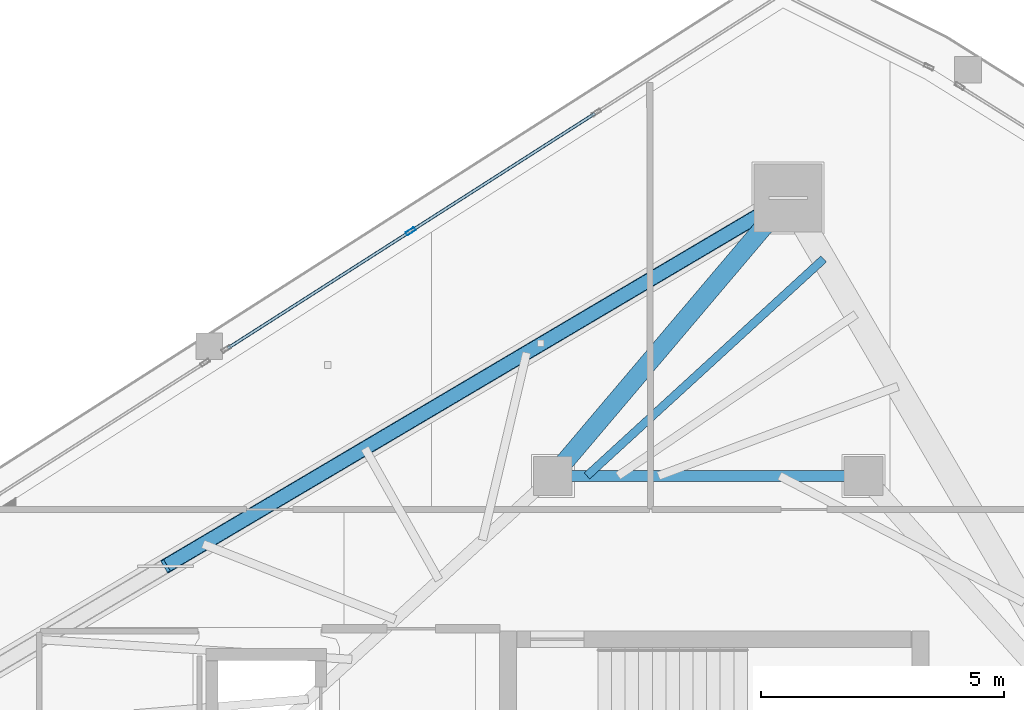
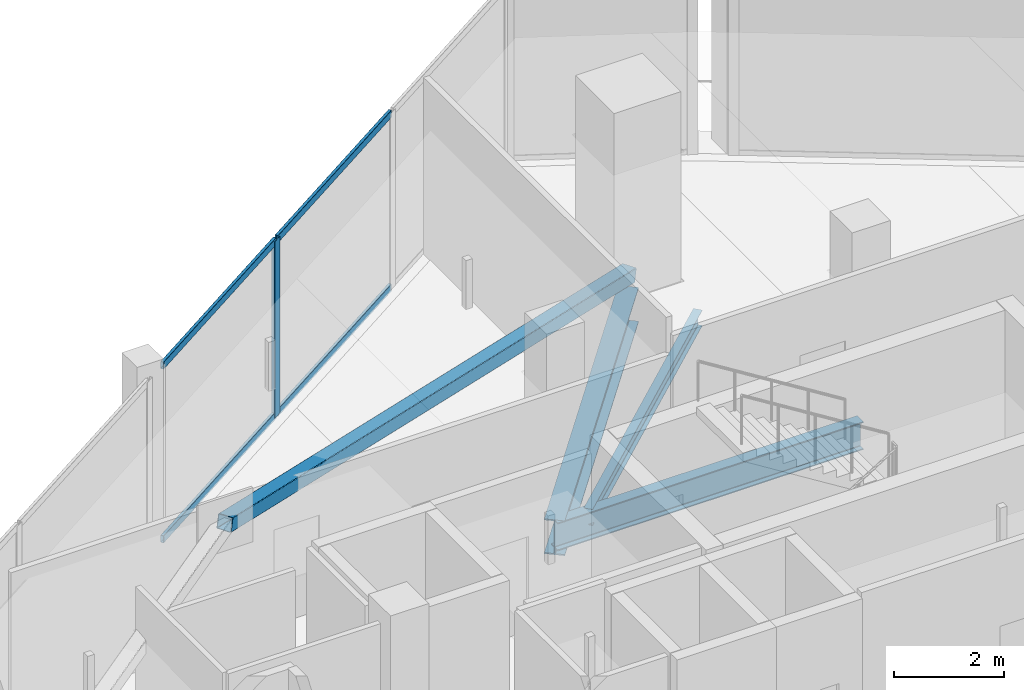
# One storey, part 13 of 25: 6 members, 3 beams, 1 element without a shape of its own.
"""IFC4 building model written with IfcOpenShell, lengths in metres."""

import ifcopenshell
import ifcopenshell.guid

model = None  # the IFC model being written
_history = None  # IfcOwnerHistory: only IFC2X3 demands one
_inside = {}  # id of a spatial element -> (the spatial element, [elements in it])
_under = {}  # id of a project, library or spatial element -> (it, [spatial elements below it])
_declared = {}  # id of a project -> (the project, [libraries it declares])
_typed = {}  # id of a type object -> (the type object, [elements of that type])
_made_of = {}  # id of a material, layer set ... -> (it, [elements and type objects made of it])


def new_model(schema):
    """Start an empty IFC model of exactly this schema.

    Asked for "IFC4X3", IfcOpenShell would pick the latest addendum, in which some entities
    have other attributes; the version numbers below select the first issue.
    IFC2X3 requires an IfcOwnerHistory on every rooted entity: one is made here for all.
    """
    global model, _history
    if schema == "IFC4X3":
        model = ifcopenshell.file(schema_version=(4, 3, 0, 0))
    else:
        model = ifcopenshell.file(schema=schema)
    _inside.clear()
    _under.clear()
    _declared.clear()
    _typed.clear()
    _made_of.clear()
    _history = None
    if model.schema == "IFC2X3":
        org = make("IfcOrganization", Name="unknown")
        user = make(
            "IfcPersonAndOrganization",
            ThePerson=make("IfcPerson", FamilyName="unknown"),
            TheOrganization=org,
        )
        app = make(
            "IfcApplication",
            ApplicationDeveloper=org,
            Version="unknown",
            ApplicationFullName="unknown",
            ApplicationIdentifier="unknown",
        )
        _history = make(
            "IfcOwnerHistory",
            OwningUser=user,
            OwningApplication=app,
            ChangeAction="ADDED",
            CreationDate=0,
        )
    return model


def make(cls, **values):
    """One entity of the class cls with the attributes given. An attribute that is None is left unset."""
    return model.create_entity(
        cls, **{name: value for name, value in values.items() if value is not None}
    )


def rooted(cls, **values):
    """An entity with a GlobalId (a new one), such as an element, a storey or a relation."""
    return make(cls, GlobalId=ifcopenshell.guid.new(), OwnerHistory=_history, **values)


def si_unit(unit_type, name, prefix=None):
    """IfcSIUnit, for example si_unit("LENGTHUNIT", "METRE", prefix="MILLI")."""
    return make("IfcSIUnit", UnitType=unit_type, Prefix=prefix, Name=name)


def assignment(units):
    """IfcUnitAssignment: the units of a project."""
    return None if units is None else make("IfcUnitAssignment", Units=units)


def point(xyz):
    """IfcCartesianPoint."""
    return None if xyz is None else make("IfcCartesianPoint", Coordinates=xyz)


def direction(xyz):
    """IfcDirection."""
    return None if xyz is None else make("IfcDirection", DirectionRatios=xyz)


def frame(location, z_axis=None, x_axis=None):
    """IfcAxis2Placement3D, a coordinate frame: its origin and axes. An axis left out is left unset."""
    return make(
        "IfcAxis2Placement3D",
        Location=point(location),
        Axis=direction(z_axis),
        RefDirection=direction(x_axis),
    )


def frame_2d(location, x_axis=None):
    """IfcAxis2Placement2D, a coordinate frame in the plane: its origin and x axis."""
    return make(
        "IfcAxis2Placement2D", Location=point(location), RefDirection=direction(x_axis)
    )


def origin():
    """The frame at (0, 0, 0) with its axes left unset."""
    return frame((0.0, 0.0, 0.0))


def origin_2d():
    """The frame at (0, 0) in the plane with its x axis left unset."""
    return frame_2d((0.0, 0.0))


def place(relative_to, where):
    """IfcLocalPlacement: puts the frame where relative to a parent placement (None: the world)."""
    return make(
        "IfcLocalPlacement", PlacementRelTo=relative_to, RelativePlacement=where
    )


def context(
    kind, dimensions, precision=None, world=None, true_north=None, identifier=None
):
    """IfcGeometricRepresentationContext, for example the 3D "Model" context."""
    return make(
        "IfcGeometricRepresentationContext",
        ContextIdentifier=identifier,
        ContextType=kind,
        CoordinateSpaceDimension=dimensions,
        Precision=precision,
        WorldCoordinateSystem=world,
        TrueNorth=true_north,
    )


def subcontext(parent, identifier, kind, view, scale=None):
    """IfcGeometricRepresentationSubContext, for example "Body" below "Model"."""
    return make(
        "IfcGeometricRepresentationSubContext",
        ContextIdentifier=identifier,
        ContextType=kind,
        ParentContext=parent,
        TargetScale=scale,
        TargetView=view,
    )


def project(units=None, contexts=None):
    """IfcProject with its units and contexts."""
    return rooted(
        "IfcProject",
        Name="project",
        RepresentationContexts=contexts,
        UnitsInContext=assignment(units),
    )


def spatial(cls, under=None, at=None, **own):
    """A site, building, storey or space (cls), placed at a placement, below another one or the project."""
    s = rooted(cls, ObjectPlacement=at, **own)
    if under is not None:
        _under.setdefault(under.id(), (under, []))[1].append(s)
    return s


def profile(cls, at=None, kind="AREA", **sizes):
    """A parametric profile (cls). Its sizes go by their IFC names, for example OverallWidth=200.0."""
    return make(cls, ProfileType=kind, Position=at, **sizes)


def hollow_rectangle(**sizes):
    """IfcRectangleHollowProfileDef."""
    return profile("IfcRectangleHollowProfileDef", **sizes)


def i_section(**sizes):
    """IfcIShapeProfileDef."""
    return profile("IfcIShapeProfileDef", **sizes)


def extrude(swept, where, along, depth):
    """IfcExtrudedAreaSolid: the profile swept, set in the frame where, extruded along a direction by depth."""
    return make(
        "IfcExtrudedAreaSolid",
        SweptArea=swept,
        Position=where,
        ExtrudedDirection=direction(along),
        Depth=depth,
    )


def shape(context_of_items, identifier, shape_type, items):
    """IfcShapeRepresentation: the items that make up one representation, for example the "Body"."""
    return make(
        "IfcShapeRepresentation",
        ContextOfItems=context_of_items,
        RepresentationIdentifier=identifier,
        RepresentationType=shape_type,
        Items=items,
    )


def material(Name=None, Category=None):
    """IfcMaterial."""
    return make("IfcMaterial", Name=Name, Category=Category)


def layer(
    of_material, thickness, ventilated=None, Name=None, Category=None, Priority=None
):
    """IfcMaterialLayer: one layer of a wall or slab, of a material (None: an air gap)."""
    return make(
        "IfcMaterialLayer",
        Material=of_material,
        LayerThickness=thickness,
        IsVentilated=ventilated,
        Name=Name,
        Category=Category,
        Priority=Priority,
    )


def layer_set(layers, Name=None):
    """IfcMaterialLayerSet."""
    return make("IfcMaterialLayerSet", MaterialLayers=layers, LayerSetName=Name)


def material_profile(
    of_material, cross_section, Name=None, Category=None, Priority=None
):
    """IfcMaterialProfile: a cross section and its material."""
    return make(
        "IfcMaterialProfile",
        Name=Name,
        Material=of_material,
        Profile=cross_section,
        Priority=Priority,
        Category=Category,
    )


def profile_set(profiles, Name=None, composite=None):
    """IfcMaterialProfileSet."""
    return make(
        "IfcMaterialProfileSet",
        Name=Name,
        MaterialProfiles=profiles,
        CompositeProfile=composite,
    )


def made_of(thing, what):
    """Note that an element or type object is made of a material, layer set ...; save() writes the relation."""
    if what is not None:
        _made_of.setdefault(what.id(), (what, []))[1].append(thing)
    return thing


def type_object(cls, material=None, **own):
    """A type object (cls), such as IfcWallType, which elements share."""
    return made_of(rooted(cls, **own), material)


def element(
    cls,
    number,
    at=None,
    inside=None,
    cuts=None,
    type_object=None,
    material=None,
    context=None,
    identifier="Body",
    shape_type=None,
    held_by="IfcProductDefinitionShape",
    body=None,
    shapes=None,
    **own,
):
    """One element of the class cls, such as IfcWall. Its Tag is "e" and its number.

    at: its placement. inside: the storey or other place that contains it. cuts: it is an
    opening in that element (IfcRelVoidsElement). A single representation is given by context,
    identifier, shape_type and body (its items); several are given by shapes. held_by: the class
    of the entity that holds the representations. save() writes the other relations.
    """
    e = rooted(cls, Tag="e%d" % number, ObjectPlacement=at, **own)
    if body is not None:
        shapes = [shape(context, identifier, shape_type, body)]
    if shapes is not None:
        e.Representation = make(held_by, Representations=shapes)
    if inside is not None:
        _inside.setdefault(inside.id(), (inside, []))[1].append(e)
    if cuts is not None:
        rooted(
            "IfcRelVoidsElement", RelatingBuildingElement=cuts, RelatedOpeningElement=e
        )
    if type_object is not None:
        _typed.setdefault(type_object.id(), (type_object, []))[1].append(e)
    return made_of(e, material)


def aggregate(whole, parts):
    """IfcRelAggregates: a whole, such as a stair, and the parts it consists of."""
    return rooted("IfcRelAggregates", RelatingObject=whole, RelatedObjects=parts)


def save(model, path):
    """Write the relations noted so far, then the file.

    IfcRelAggregates (storeys below a building ...), IfcRelContainedInSpatialStructure (elements
    in a storey), IfcRelDefinesByType, IfcRelAssociatesMaterial and IfcRelDeclares: one each for
    every whole, place, type object, material and project.
    """
    for whole, parts in _under.values():
        aggregate(whole, parts)
    for where, things in _inside.values():
        rooted(
            "IfcRelContainedInSpatialStructure",
            RelatedElements=things,
            RelatingStructure=where,
        )
    for kind, things in _typed.values():
        rooted("IfcRelDefinesByType", RelatedObjects=things, RelatingType=kind)
    for what, things in _made_of.values():
        rooted("IfcRelAssociatesMaterial", RelatedObjects=things, RelatingMaterial=what)
    for by, libraries in _declared.values():
        rooted("IfcRelDeclares", RelatingContext=by, RelatedDefinitions=libraries)
    model.write(path)


model = new_model("IFC4")

# Units and contexts
model_context = context("Model", 3, precision=1e-05, world=origin(), true_north=direction((0.0, 1.0)))
body_context = subcontext(model_context, "Body", "Model", "MODEL_VIEW")
ifc_project = project(units=[si_unit("LENGTHUNIT", "METRE"), si_unit("AREAUNIT", "SQUARE_METRE"), si_unit("VOLUMEUNIT", "CUBIC_METRE"), si_unit("PLANEANGLEUNIT", "RADIAN"), si_unit("MASSUNIT", "GRAM", prefix="KILO")], contexts=[model_context])

# Site, building, storey
site_placement = place(None, origin())
site = spatial("IfcSite", under=ifc_project, at=site_placement, CompositionType="ELEMENT")
building_placement = place(site_placement, origin())
building = spatial("IfcBuilding", under=site, at=building_placement, Name="Qorvath Tower", CompositionType="ELEMENT")
storey_placement = place(building_placement, frame((0.0, 0.0, 314.39990234375)))
storey = spatial("IfcBuildingStorey", under=building, at=storey_placement, Name="L73", CompositionType="ELEMENT", Elevation=314.39990234375)

# Beams
ifc_material_1 = material(Name="Steel ASTM A992 Grade 50", Category="steel")
ifc_material_profile_1 = material_profile(ifc_material_1, i_section(OverallWidth=0.381103515625, OverallDepth=0.77294921875, WebThickness=0.0166015625, FlangeThickness=0.027099609375, FilletRadius=0.01904296875, at=origin_2d()), Name="W30x173")
ifc_profile_set_1 = profile_set([ifc_material_profile_1], Name="Steel ASTM A992 Grade 50")
beam_type_1 = type_object("IfcBeamType", Name="BM-FG3", PredefinedType="BEAM", material=ifc_profile_set_1)
beam_1_placement = place(storey_placement, frame((-23.60009765625, 11.449951171875, -0.67626953125), z_axis=(0.646321389876, 0.763065305848, 0.0), x_axis=(-0.763065305848, 0.646321389876, 0.0)))
element("IfcBeam", 1, at=beam_1_placement, inside=storey, type_object=beam_type_1, Name="Radial Floor Girder CC1-MC6 L73", PredefinedType="BEAM", context=body_context, shape_type="SweptSolid", body=[
    extrude(i_section(OverallWidth=0.381103515625, OverallDepth=0.77294921875, WebThickness=0.0166015625, FlangeThickness=0.027099609375, FilletRadius=0.01904296875, at=origin_2d()), origin(), (0.0, 0.0, 1.0), 7.50341796875),
])
ifc_material_2 = material(Name="Steel ASTM A992 Grade 50", Category="steel")
ifc_material_profile_2 = material_profile(ifc_material_2, i_section(OverallWidth=0.22998046875, OverallDepth=0.616943359375, WebThickness=0.01318359375, FlangeThickness=0.022216796875, FilletRadius=0.014892578125, at=origin_2d()), Name="W24x94")
ifc_profile_set_2 = profile_set([ifc_material_profile_2], Name="Steel ASTM A992 Grade 50")
beam_type_2 = type_object("IfcBeamType", Name="BM-FG6", PredefinedType="BEAM", material=ifc_profile_set_2)
beam_2_placement = place(storey_placement, frame((-23.60009765625, 11.449951171875, -0.598388671875), z_axis=(1.0, 0.0, 0.0), x_axis=(0.0, 1.0, 0.0)))
element("IfcBeam", 2, at=beam_2_placement, inside=storey, type_object=beam_type_2, Name="Core Ring Girder CC1-CC2 L73", PredefinedType="BEAM", context=body_context, shape_type="SweptSolid", body=[
    extrude(i_section(OverallWidth=0.22998046875, OverallDepth=0.616943359375, WebThickness=0.01318359375, FlangeThickness=0.022216796875, FilletRadius=0.014892578125, at=origin_2d()), origin(), (0.0, 0.0, 1.0), 6.400146484375),
])
ifc_material_3 = material(Name="Steel ASTM A992 Grade 50", Category="steel")
ifc_material_profile_3 = material_profile(ifc_material_3, i_section(OverallWidth=0.1708984375, OverallDepth=0.35107421875, WebThickness=0.0068359375, FlangeThickness=0.009765625, FilletRadius=0.010009765625, at=origin_2d()), Name="W14x30")
ifc_profile_set_3 = profile_set([ifc_material_profile_3], Name="Steel ASTM A992 Grade 50")
beam_type_3 = type_object("IfcBeamType", Name="BM-FJ4", PredefinedType="JOIST", material=ifc_profile_set_3)
beam_3_placement = place(storey_placement, frame((-22.89599609375, 11.449951171875, -0.46533203125), z_axis=(0.737232260457, 0.675639396528, 0.0), x_axis=(-0.675639396528, 0.737232260457, 0.0)))
element("IfcBeam", 3, at=beam_3_placement, inside=storey, type_object=beam_type_3, Name="Composite Floor Joist NE7 L73", PredefinedType="JOIST", context=body_context, shape_type="SweptSolid", body=[
    extrude(i_section(OverallWidth=0.1708984375, OverallDepth=0.35107421875, WebThickness=0.0068359375, FlangeThickness=0.009765625, FilletRadius=0.010009765625, at=origin_2d()), origin(), (0.0, 0.0, 1.0), 6.615478515625),
])

# Curtain wall, members
ifc_material_4 = material(Name="Anodised aluminium and triple low-E glass", Category="aluminium")
ifc_layer = layer(ifc_material_4, 0.179931640625)
ifc_layer_set = layer_set([ifc_layer], Name="CW-SYS-4")
curtain_wall_type = type_object("IfcCurtainWallType", Name="CW-SYS-4", PredefinedType="NOTDEFINED", material=ifc_layer_set)
curtain_wall_placement = place(storey_placement, origin())
curtain_wall = element("IfcCurtainWall", 4, at=curtain_wall_placement, inside=storey, type_object=curtain_wall_type, Name="Curtain Wall CW-4 CW-T-L73-16.1", PredefinedType="NOTDEFINED")
ifc_material_5 = material(Name="Anodised aluminium 6063-T6", Category="aluminium")
ifc_material_profile_4 = material_profile(ifc_material_5, hollow_rectangle(XDim=0.074951171875, YDim=0.199951171875, WallThickness=0.00390625, InnerFilletRadius=0.00390625, OuterFilletRadius=0.008056640625, at=origin_2d()), Name="CWM 200x75")
ifc_profile_set_4 = profile_set([ifc_material_profile_4], Name="Anodised aluminium 6063-T6")
member_type_1 = type_object("IfcMemberType", Name="CWM-200", PredefinedType="MULLION", material=ifc_profile_set_4)
member_1_placement = place(storey_placement, frame((-26.52880859375, 16.489501953125, 0.0), z_axis=(0.0, 0.0, 1.0), x_axis=(0.538536451315, -0.842602213743, 0.0)))
member_1 = element("IfcMember", 5, at=member_1_placement, type_object=member_type_1, Name="CW-4 mullion 3", PredefinedType="MULLION", context=body_context, shape_type="SweptSolid", body=[
    extrude(hollow_rectangle(XDim=0.074951171875, YDim=0.199951171875, WallThickness=0.00390625, InnerFilletRadius=0.00390625, OuterFilletRadius=0.008056640625, at=origin_2d()), origin(), (0.0, 0.0, 1.0), 3.91015625),
])
ifc_material_6 = material(Name="Anodised aluminium 6063-T6", Category="aluminium")
ifc_material_profile_5 = material_profile(ifc_material_6, hollow_rectangle(XDim=0.06494140625, YDim=0.159912109375, WallThickness=0.00341796875, InnerFilletRadius=0.00341796875, OuterFilletRadius=0.007080078125, at=origin_2d()), Name="CWT 160x65")
ifc_profile_set_5 = profile_set([ifc_material_profile_5], Name="Anodised aluminium 6063-T6")
member_type_2 = type_object("IfcMemberType", Name="CWT-160", PredefinedType="USERDEFINED", material=ifc_profile_set_5)
member_2_placement = place(storey_placement, frame((-22.732177734375, 18.916015625, 0.032470703125), z_axis=(-0.842620507343, -0.538507827803, 0.0), x_axis=(0.538507827803, -0.842620507343, 0.0)))
member_2 = element("IfcMember", 6, at=member_2_placement, type_object=member_type_2, Name="CW-4 transom 2.1", ObjectType="TRANSOM", PredefinedType="USERDEFINED", context=body_context, shape_type="SweptSolid", body=[
    extrude(hollow_rectangle(XDim=0.06494140625, YDim=0.159912109375, WallThickness=0.00341796875, InnerFilletRadius=0.00341796875, OuterFilletRadius=0.007080078125, at=origin_2d()), origin(), (0.0, 0.0, 1.0), 4.46826171875),
])
member_3_placement = place(storey_placement, frame((-22.732177734375, 18.916015625, 3.877685546875), z_axis=(-0.842620507343, -0.538507827803, 0.0), x_axis=(0.538507827803, -0.842620507343, 0.0)))
member_3 = element("IfcMember", 7, at=member_3_placement, type_object=member_type_2, Name="CW-4 transom 2.2", ObjectType="TRANSOM", PredefinedType="USERDEFINED", context=body_context, shape_type="SweptSolid", body=[
    extrude(hollow_rectangle(XDim=0.06494140625, YDim=0.159912109375, WallThickness=0.00341796875, InnerFilletRadius=0.00341796875, OuterFilletRadius=0.007080078125, at=origin_2d()), origin(), (0.0, 0.0, 1.0), 4.46826171875),
])
member_4_placement = place(storey_placement, frame((-26.560546875, 16.46923828125, 0.032470703125), z_axis=(-0.842593471116, -0.538550129917, 0.0), x_axis=(0.538550129917, -0.842593471116, 0.0)))
member_4 = element("IfcMember", 8, at=member_4_placement, type_object=member_type_2, Name="CW-4 transom 3.1", ObjectType="TRANSOM", PredefinedType="USERDEFINED", context=body_context, shape_type="SweptSolid", body=[
    extrude(hollow_rectangle(XDim=0.06494140625, YDim=0.159912109375, WallThickness=0.00341796875, InnerFilletRadius=0.00341796875, OuterFilletRadius=0.007080078125, at=origin_2d()), origin(), (0.0, 0.0, 1.0), 4.430908203125),
])
member_5_placement = place(storey_placement, frame((-26.560546875, 16.46923828125, 3.877685546875), z_axis=(-0.842593471116, -0.538550129917, 0.0), x_axis=(0.538550129917, -0.842593471116, 0.0)))
member_5 = element("IfcMember", 9, at=member_5_placement, type_object=member_type_2, Name="CW-4 transom 3.2", ObjectType="TRANSOM", PredefinedType="USERDEFINED", context=body_context, shape_type="SweptSolid", body=[
    extrude(hollow_rectangle(XDim=0.06494140625, YDim=0.159912109375, WallThickness=0.00341796875, InnerFilletRadius=0.00341796875, OuterFilletRadius=0.007080078125, at=origin_2d()), origin(), (0.0, 0.0, 1.0), 4.430908203125),
])
aggregate(curtain_wall, [member_1, member_2, member_3, member_4, member_5])

# Member
ifc_material_7 = material(Name="Steel ASTM A500 Grade C", Category="steel")
ifc_material_profile_6 = material_profile(ifc_material_7, hollow_rectangle(XDim=0.3046875, YDim=0.3046875, WallThickness=0.0126953125, InnerFilletRadius=0.0126953125, OuterFilletRadius=0.025390625, at=origin_2d()), Name="HSS 305x305x12.7")
ifc_profile_set_6 = profile_set([ifc_material_profile_6], Name="Steel ASTM A500 Grade C")
member_type_3 = type_object("IfcMemberType", Name="MEM-MB3", PredefinedType="BRACE", material=ifc_profile_set_6)
member_6_placement = place(storey_placement, frame((-18.75048828125, 17.175537109375, 0.0), z_axis=(-0.837215952288, -0.49503723812, 0.232395314303), x_axis=(0.508972175844, -0.860782971612, 0.0)))
element("IfcMember", 10, at=member_6_placement, inside=storey, type_object=member_type_3, Name="Perimeter Chevron Brace L73-1A", PredefinedType="BRACE", context=body_context, shape_type="SweptSolid", body=[
    extrude(hollow_rectangle(XDim=0.3046875, YDim=0.3046875, WallThickness=0.0126953125, InnerFilletRadius=0.0126953125, OuterFilletRadius=0.025390625, at=origin_2d()), origin(), (0.0, 0.0, 1.0), 15.320068359375),
])

save(model, "model.ifc")
